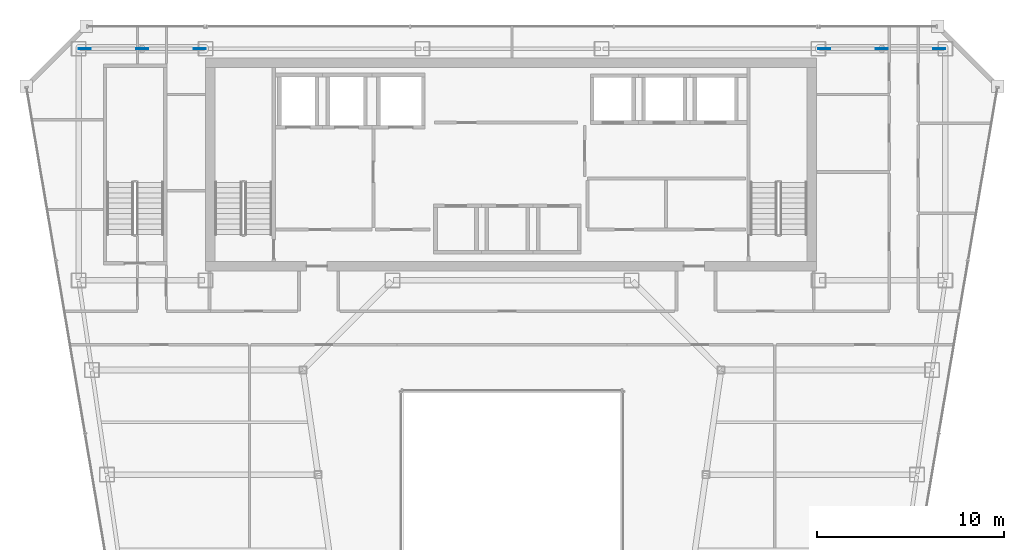
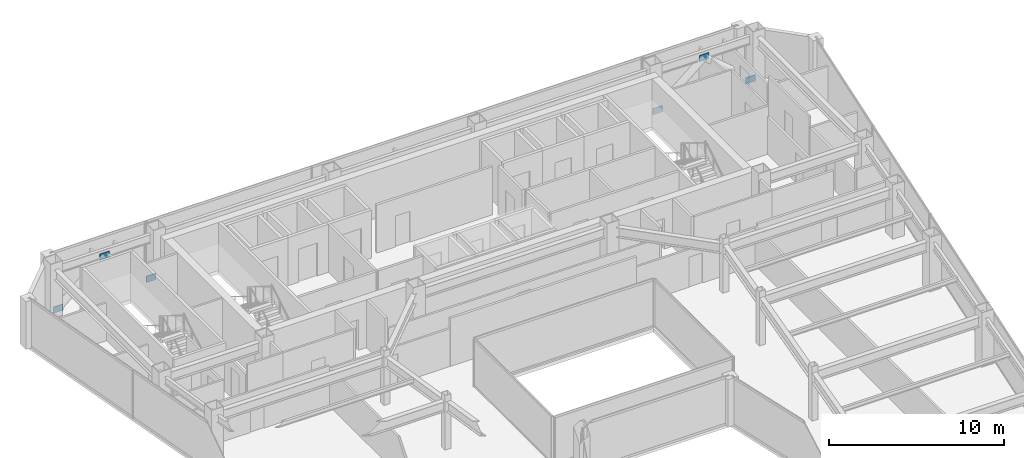
# One storey, part 27 of 34: 6 plates.
"""IFC4 building model written with IfcOpenShell, lengths in metres."""

from ifc_helpers import new_model, si_unit, direction, frame, origin, origin_2d, place, context, subcontext, project, spatial, rectangle, extrude, material, layer, layer_set, type_object, element, save


model = new_model("IFC4")

# Units and contexts
model_context = context("Model", 3, precision=1e-05, world=origin(), true_north=direction((0.0, 1.0)))
body_context = subcontext(model_context, "Body", "Model", "MODEL_VIEW")
ifc_project = project(units=[si_unit("LENGTHUNIT", "METRE"), si_unit("AREAUNIT", "SQUARE_METRE"), si_unit("VOLUMEUNIT", "CUBIC_METRE"), si_unit("PLANEANGLEUNIT", "RADIAN"), si_unit("MASSUNIT", "GRAM", prefix="KILO")], contexts=[model_context])

# Site, building, storey
site_placement = place(None, origin())
site = spatial("IfcSite", under=ifc_project, at=site_placement, CompositionType="ELEMENT")
building_placement = place(site_placement, origin())
building = spatial("IfcBuilding", under=site, at=building_placement, Name="Saevonmaru Cultural Tower", CompositionType="ELEMENT")
storey_placement = place(building_placement, frame((0.0, 0.0, 220.800048828125)))
storey = spatial("IfcBuildingStorey", under=building, at=storey_placement, Name="L51", CompositionType="ELEMENT", Elevation=220.800048828125)

# Plates
ifc_material = material(Name="Steel HSA600 (600 MPa)", Category="steel")
ifc_layer = layer(ifc_material, 0.0400390625, Name="Steel HSA600 (600 MPa)")
ifc_layer_set = layer_set([ifc_layer], Name="Steel HSA600 (600 MPa)")
plate_type = type_object("IfcPlateType", Name="PL-GUSSET-EXT", PredefinedType="USERDEFINED", material=ifc_layer_set)
for number, where, z_axis, x_axis, name in (
    (1, (10.199951171875, 54.800048828125, 2.64990234375), (0.0, 0.0, 1.0), (1.0, 0.0, 0.0), "L51 Perimeter Tube Gusset Plate"),
    (2, (7.1201171875, 54.800048828125, 0.02001953125), (0.0, 0.0, 1.0), (1.0, 0.0, 0.0), "L51 Perimeter Tube Gusset Plate"),
    (3, (13.280029296875, 54.800048828125, 0.02001953125), (0.0, 0.0, 1.0), (1.0, 0.0, 0.0), "L51 Perimeter Tube Gusset Plate"),
    (4, (49.800048828125, 54.800048828125, 2.64990234375), (0.0, 0.0, 1.0), (1.0, 0.0, 0.0), "L51 Perimeter Tube Gusset Plate"),
    (5, (46.719970703125, 54.800048828125, 0.02001953125), (0.0, 0.0, 1.0), (1.0, 0.0, 0.0), "L51 Perimeter Tube Gusset Plate"),
    (6, (52.8798828125, 54.800048828125, 0.02001953125), (0.0, 0.0, 1.0), (1.0, 0.0, 0.0), "L51 Perimeter Tube Gusset Plate"),
):
    element("IfcPlate", number, at=place(storey_placement, frame(where, z_axis=z_axis, x_axis=x_axis)), inside=storey, type_object=plate_type, Name=name, ObjectType="GUSSET_PLATE", PredefinedType="USERDEFINED", context=body_context, shape_type="SweptSolid", body=[
        extrude(rectangle(XDim=0.639892578125, YDim=0.0400390625, at=origin_2d()), origin(), (0.0, 0.0, 1.0), 0.43994140625),
    ])

save(model, "model.ifc")
